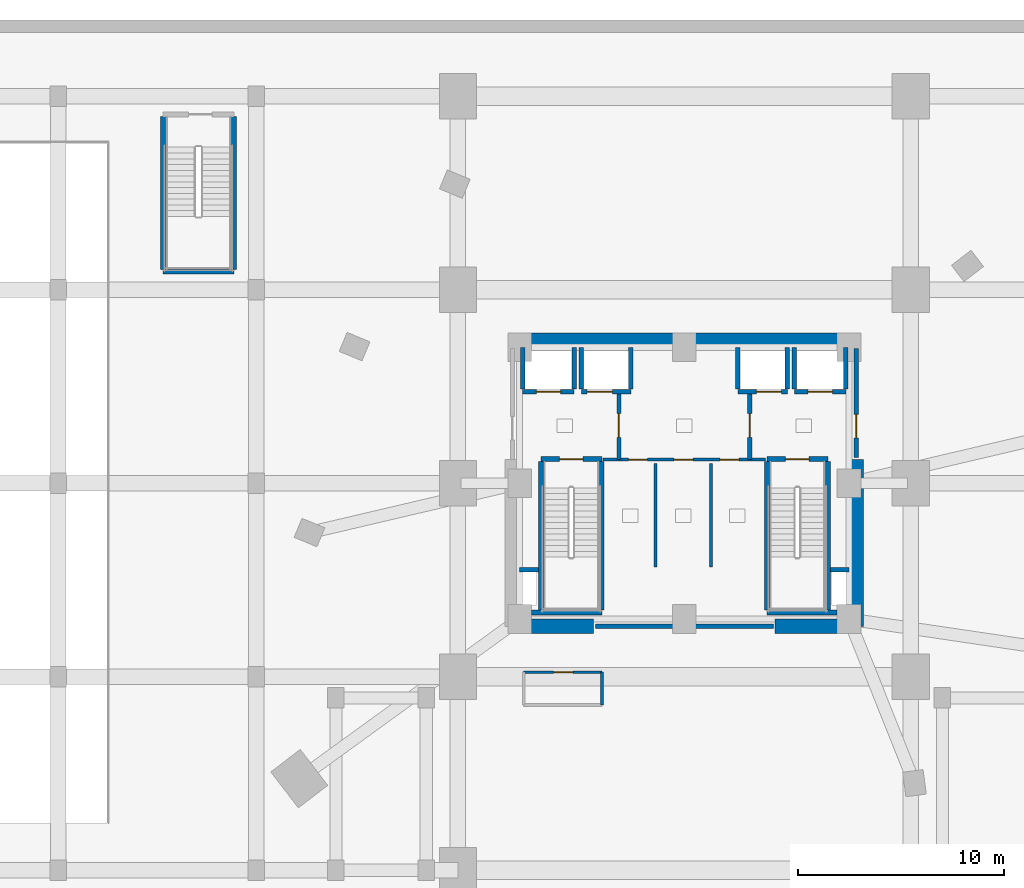
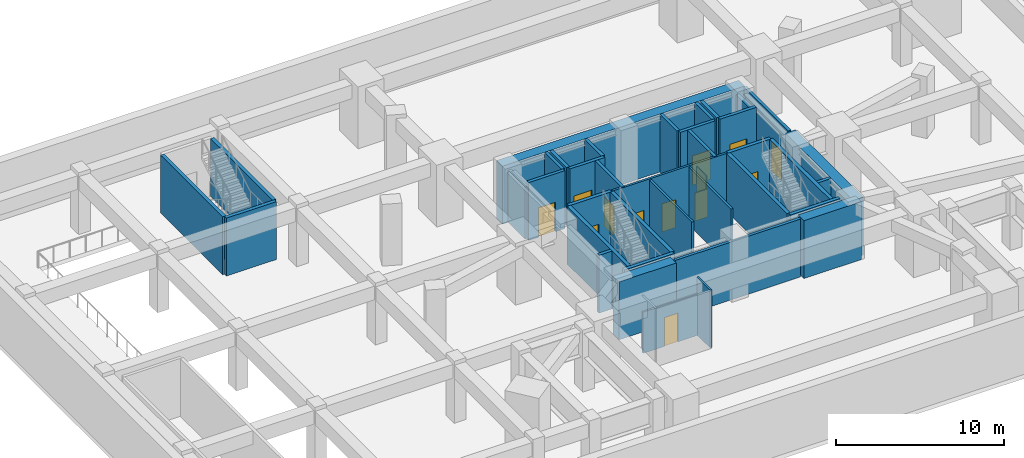
# One storey, part 3 of 9: 38 walls, 13 doors, 13 openings.
"""IFC4 building model written with IfcOpenShell, lengths in metres."""

from ifc_helpers import new_model, si_unit, direction, frame, frame_2d, origin, place, context, subcontext, project, spatial, rectangle, extrude, material, layer, layer_set, type_object, element, fill, save


model = new_model("IFC4")

# Units and contexts
model_context = context("Model", 3, precision=1e-05, world=origin(), true_north=direction((0.0, 1.0)))
body_context = subcontext(model_context, "Body", "Model", "MODEL_VIEW")
ifc_project = project(units=[si_unit("LENGTHUNIT", "METRE"), si_unit("AREAUNIT", "SQUARE_METRE"), si_unit("VOLUMEUNIT", "CUBIC_METRE"), si_unit("PLANEANGLEUNIT", "RADIAN"), si_unit("MASSUNIT", "GRAM", prefix="KILO")], contexts=[model_context])

# Site, building, storey
site_placement = place(None, origin())
site = spatial("IfcSite", under=ifc_project, at=site_placement, CompositionType="ELEMENT")
building_placement = place(site_placement, origin())
building = spatial("IfcBuilding", under=site, at=building_placement, Name="Ndelora Gate Hotel", CompositionType="ELEMENT")
storey_placement = place(building_placement, frame((0.0, 0.0, -4.5)))
storey = spatial("IfcBuildingStorey", under=building, at=storey_placement, Name="B01", CompositionType="ELEMENT", Elevation=-4.5)

# Walls
ifc_material_1 = material(Name="Concrete C60/75", Category="concrete")
ifc_layer_1 = layer(ifc_material_1, 0.699951171875)
ifc_layer_set_1 = layer_set([ifc_layer_1], Name="Concrete C60/75")
wall_type_1 = type_object("IfcWallType", Name="WL-CORE-700", PredefinedType="SHEAR", material=ifc_layer_set_1)
wall_1_placement = place(storey_placement, frame((-8.35009765625, 6.949951171875, 0.0), z_axis=(0.0, 0.0, 1.0), x_axis=(1.0, 0.0, 0.0)))
element("IfcWall", 1, at=wall_1_placement, inside=storey, type_object=wall_type_1, Name="B01 Core Shear Wall N", PredefinedType="SHEAR", context=body_context, shape_type="SweptSolid", body=[
    extrude(rectangle(XDim=16.7001953125, YDim=0.699951171875, at=frame_2d((8.35009765625, 0.0))), origin(), (0.0, 0.0, 1.0), 4.219970703125),
])
for number, where, z_axis, x_axis, name in (
    (2, (-8.35009765625, -6.949951171875, 0.0), (0.0, 0.0, 1.0), (1.0, 0.0, 0.0), "B01 Core Shear Wall S-W"),
    (3, (4.39990234375, -6.949951171875, 0.0), (0.0, 0.0, 1.0), (1.0, 0.0, 0.0), "B01 Core Shear Wall S-E"),
):
    element("IfcWall", number, at=place(storey_placement, frame(where, z_axis=z_axis, x_axis=x_axis)), inside=storey, type_object=wall_type_1, Name=name, PredefinedType="SHEAR", context=body_context, shape_type="SweptSolid", body=[
        extrude(rectangle(XDim=3.9501953125, YDim=0.699951171875, at=frame_2d((1.97509765625, 0.0))), origin(), (0.0, 0.0, 1.0), 4.219970703125),
    ])
wall_2_placement = place(storey_placement, frame((8.35009765625, -6.949951171875, 0.0), z_axis=(0.0, 0.0, 1.0), x_axis=(0.0, 1.0, 0.0)))
element("IfcWall", 4, at=wall_2_placement, inside=storey, type_object=wall_type_1, Name="B01 Core Shear Wall E", PredefinedType="SHEAR", context=body_context, shape_type="SweptSolid", body=[
    extrude(rectangle(XDim=8.099853515625, YDim=0.699951171875, at=frame_2d((4.0498046875, 0.0))), origin(), (0.0, 0.0, 1.0), 4.219970703125),
])

# Wall, opening, door
ifc_material_2 = material(Name="Concrete C40/50", Category="concrete")
ifc_layer_2 = layer(ifc_material_2, 0.199951171875)
ifc_layer_set_2 = layer_set([ifc_layer_2], Name="Concrete C40/50")
wall_type_2 = type_object("IfcWallType", Name="WL-FIRE-200", PredefinedType="PARTITIONING", material=ifc_layer_set_2)
wall_3_placement = place(storey_placement, frame((-3.179931640625, 1.14990234375, 0.0), z_axis=(0.0, 0.0, 1.0), x_axis=(0.0, 1.0, 0.0)))
wall_3 = element("IfcWall", 5, at=wall_3_placement, inside=storey, type_object=wall_type_2, Name="B01 Interior Wall IW-2", PredefinedType="PARTITIONING", context=body_context, shape_type="SweptSolid", body=[
    extrude(rectangle(XDim=3.300048828125, YDim=0.199951171875, at=frame_2d((1.64990234375, 0.0))), origin(), (0.0, 0.0, 1.0), 4.219970703125),
])
opening_1_placement = place(wall_3_placement, frame((1.080078125, 0.0, 0.0)))
opening_1 = element("IfcOpeningElement", 6, at=opening_1_placement, cuts=wall_3, Name="Opening FD1", PredefinedType="OPENING", context=body_context, shape_type="SweptSolid", body=[
    extrude(rectangle(XDim=1.14990234375, YDim=2.14990234375, at=frame_2d((0.574951171875, 1.074951171875))), frame((0.0, 0.10986328125, 0.0), z_axis=(0.0, -1.0, 0.0), x_axis=(1.0, 0.0, 0.0)), (0.0, 0.0, 1.0), 0.219970703125),
])
ifc_material_3 = material(Name="Fire-Rated Timber-Veneer Steel Core", Category="steel")
door_type_1 = type_object("IfcDoorType", Name="DR-FD60", OperationType="SINGLE_SWING_LEFT", PredefinedType="DOOR", material=ifc_material_3)
door_1_placement = place(opening_1_placement, origin())
door_1 = element("IfcDoor", 7, at=door_1_placement, inside=storey, type_object=door_type_1, Name="B01 Firefighting Lobby West Door", OperationType="SINGLE_SWING_RIGHT", OverallHeight=2.14990234375, OverallWidth=1.14990234375, PredefinedType="DOOR", context=body_context, shape_type="SweptSolid", body=[
    extrude(rectangle(XDim=1.14990234375, YDim=2.14990234375, at=frame_2d((0.574951171875, 1.074951171875))), frame((0.0, 0.02490234375, 0.0), z_axis=(0.0, -1.0, 0.0), x_axis=(1.0, 0.0, 0.0)), (0.0, 0.0, 1.0), 0.050048828125),
])
fill(opening_1, door_1)

wall_4_placement = place(storey_placement, frame((3.179931640625, 1.14990234375, 0.0), z_axis=(0.0, 0.0, 1.0), x_axis=(0.0, 1.0, 0.0)))
wall_4 = element("IfcWall", 8, at=wall_4_placement, inside=storey, type_object=wall_type_2, Name="B01 Interior Wall IW-2", PredefinedType="PARTITIONING", context=body_context, shape_type="SweptSolid", body=[
    extrude(rectangle(XDim=3.300048828125, YDim=0.199951171875, at=frame_2d((1.64990234375, 0.0))), origin(), (0.0, 0.0, 1.0), 4.219970703125),
])
opening_2_placement = place(wall_4_placement, frame((1.080078125, 0.0, 0.0)))
opening_2 = element("IfcOpeningElement", 9, at=opening_2_placement, cuts=wall_4, Name="Opening FD1", PredefinedType="OPENING", context=body_context, shape_type="SweptSolid", body=[
    extrude(rectangle(XDim=1.14990234375, YDim=2.14990234375, at=frame_2d((0.574951171875, 1.074951171875))), frame((0.0, 0.10986328125, 0.0), z_axis=(0.0, -1.0, 0.0), x_axis=(1.0, 0.0, 0.0)), (0.0, 0.0, 1.0), 0.219970703125),
])
door_2_placement = place(opening_2_placement, origin())
door_2 = element("IfcDoor", 10, at=door_2_placement, inside=storey, type_object=door_type_1, Name="B01 Firefighting Lobby East Door", OperationType="SINGLE_SWING_LEFT", OverallHeight=2.14990234375, OverallWidth=1.14990234375, PredefinedType="DOOR", context=body_context, shape_type="SweptSolid", body=[
    extrude(rectangle(XDim=1.14990234375, YDim=2.14990234375, at=frame_2d((0.574951171875, 1.074951171875))), frame((0.0, 0.02490234375, 0.0), z_axis=(0.0, -1.0, 0.0), x_axis=(1.0, 0.0, 0.0)), (0.0, 0.0, 1.0), 0.050048828125),
])
fill(opening_2, door_2)

wall_5_placement = place(storey_placement, frame((8.35009765625, 1.25, 0.0), z_axis=(0.0, 0.0, 1.0), x_axis=(0.0, 1.0, 0.0)))
wall_5 = element("IfcWall", 11, at=wall_5_placement, inside=storey, type_object=wall_type_2, Name="B01 Interior Wall IW-2", PredefinedType="PARTITIONING", context=body_context, shape_type="SweptSolid", body=[
    extrude(rectangle(XDim=5.300048828125, YDim=0.199951171875, at=frame_2d((2.64990234375, 0.0))), origin(), (0.0, 0.0, 1.0), 4.219970703125),
])
opening_3_placement = place(wall_5_placement, frame((0.949951171875, 0.0, 0.0)))
opening_3 = element("IfcOpeningElement", 12, at=opening_3_placement, cuts=wall_5, Name="Opening FD1", PredefinedType="OPENING", context=body_context, shape_type="SweptSolid", body=[
    extrude(rectangle(XDim=1.14990234375, YDim=2.14990234375, at=frame_2d((0.574951171875, 1.074951171875))), frame((0.0, 0.10986328125, 0.0), z_axis=(0.0, -1.0, 0.0), x_axis=(1.0, 0.0, 0.0)), (0.0, 0.0, 1.0), 0.219970703125),
])
door_3_placement = place(opening_3_placement, origin())
door_3 = element("IfcDoor", 13, at=door_3_placement, inside=storey, type_object=door_type_1, Name="B01 Firefighting Lobby East Corridor Door", OperationType="SINGLE_SWING_RIGHT", OverallHeight=2.14990234375, OverallWidth=1.14990234375, PredefinedType="DOOR", context=body_context, shape_type="SweptSolid", body=[
    extrude(rectangle(XDim=1.14990234375, YDim=2.14990234375, at=frame_2d((0.574951171875, 1.074951171875))), frame((0.0, 0.02490234375, 0.0), z_axis=(0.0, -1.0, 0.0), x_axis=(1.0, 0.0, 0.0)), (0.0, 0.0, 1.0), 0.050048828125),
])
fill(opening_3, door_3)

# Wall
wall_6_placement = place(storey_placement, frame((-4.320068359375, -6.949951171875, 0.0), z_axis=(0.0, 0.0, 1.0), x_axis=(1.0, 0.0, 0.0)))
element("IfcWall", 14, at=wall_6_placement, inside=storey, type_object=wall_type_2, Name="B01 Interior Wall IW-2", PredefinedType="PARTITIONING", context=body_context, shape_type="SweptSolid", body=[
    extrude(rectangle(XDim=8.64013671875, YDim=0.199951171875, at=frame_2d((4.320068359375, 0.0))), origin(), (0.0, 0.0, 1.0), 4.219970703125),
])

# Wall, openings, doors
ifc_material_4 = material(Name="Fire-Rated Gypsum Stud Partition", Category="gypsum")
ifc_layer_3 = layer(ifc_material_4, 0.14990234375)
ifc_layer_set_3 = layer_set([ifc_layer_3], Name="Fire-Rated Gypsum Stud Partition")
wall_type_3 = type_object("IfcWallType", Name="WL-PART-150", PredefinedType="PARTITIONING", material=ifc_layer_set_3)
wall_7_placement = place(storey_placement, frame((3.949951171875, 1.14990234375, 0.0), z_axis=(0.0, 0.0, 1.0), x_axis=(-1.0, 0.0, 0.0)))
wall_7 = element("IfcWall", 15, at=wall_7_placement, inside=storey, type_object=wall_type_3, Name="B01 Interior Wall IW-5", PredefinedType="PARTITIONING", context=body_context, shape_type="SweptSolid", body=[
    extrude(rectangle(XDim=7.89990234375, YDim=0.14990234375, at=frame_2d((3.949951171875, 0.0))), origin(), (0.0, 0.0, 1.0), 4.219970703125),
])
opening_4_placement = place(wall_7_placement, frame((5.739990234375, 0.0, 0.0)))
opening_4 = element("IfcOpeningElement", 16, at=opening_4_placement, cuts=wall_7, Name="Opening D04", PredefinedType="OPENING", context=body_context, shape_type="SweptSolid", body=[
    extrude(rectangle(XDim=0.919921875, YDim=2.050048828125, at=frame_2d((0.4599609375, 1.02490234375))), frame((0.0, 0.0849609375, 0.0), z_axis=(0.0, -1.0, 0.0), x_axis=(1.0, 0.0, 0.0)), (0.0, 0.0, 1.0), 0.169921875),
])
opening_5_placement = place(wall_7_placement, frame((3.5400390625, 0.0, 0.0)))
opening_5 = element("IfcOpeningElement", 17, at=opening_5_placement, cuts=wall_7, Name="Opening D04", PredefinedType="OPENING", context=body_context, shape_type="SweptSolid", body=[
    extrude(rectangle(XDim=0.919921875, YDim=2.050048828125, at=frame_2d((0.4599609375, 1.02490234375))), frame((0.0, 0.0849609375, 0.0), z_axis=(0.0, -1.0, 0.0), x_axis=(1.0, 0.0, 0.0)), (0.0, 0.0, 1.0), 0.169921875),
])
opening_6_placement = place(wall_7_placement, frame((1.2900390625, 0.0, 0.0)))
opening_6 = element("IfcOpeningElement", 18, at=opening_6_placement, cuts=wall_7, Name="Opening D04", PredefinedType="OPENING", context=body_context, shape_type="SweptSolid", body=[
    extrude(rectangle(XDim=0.919921875, YDim=2.050048828125, at=frame_2d((0.4599609375, 1.02490234375))), frame((0.0, 0.0849609375, 0.0), z_axis=(0.0, -1.0, 0.0), x_axis=(1.0, 0.0, 0.0)), (0.0, 0.0, 1.0), 0.169921875),
])
ifc_material_5 = material(Name="Painted Steel Core Service Door", Category="steel")
door_type_2 = type_object("IfcDoorType", Name="DR-SER-920", OperationType="SINGLE_SWING_LEFT", PredefinedType="DOOR", material=ifc_material_5)
door_4_placement = place(opening_4_placement, origin())
door_4 = element("IfcDoor", 19, at=door_4_placement, inside=storey, type_object=door_type_2, Name="B01 Core Cleaners Store Door", OperationType="SINGLE_SWING_LEFT", OverallHeight=2.050048828125, OverallWidth=0.919921875, PredefinedType="DOOR", context=body_context, shape_type="SweptSolid", body=[
    extrude(rectangle(XDim=0.919921875, YDim=2.050048828125, at=frame_2d((0.4599609375, 1.02490234375))), frame((0.0, 0.02490234375, 0.0), z_axis=(0.0, -1.0, 0.0), x_axis=(1.0, 0.0, 0.0)), (0.0, 0.0, 1.0), 0.050048828125),
])
fill(opening_4, door_4)
door_5_placement = place(opening_5_placement, origin())
door_5 = element("IfcDoor", 20, at=door_5_placement, inside=storey, type_object=door_type_2, Name="B01 Core Telecoms Equipment Room Door", OperationType="SINGLE_SWING_RIGHT", OverallHeight=2.050048828125, OverallWidth=0.919921875, PredefinedType="DOOR", context=body_context, shape_type="SweptSolid", body=[
    extrude(rectangle(XDim=0.919921875, YDim=2.050048828125, at=frame_2d((0.4599609375, 1.02490234375))), frame((0.0, 0.02490234375, 0.0), z_axis=(0.0, -1.0, 0.0), x_axis=(1.0, 0.0, 0.0)), (0.0, 0.0, 1.0), 0.050048828125),
])
fill(opening_5, door_5)
door_6_placement = place(opening_6_placement, origin())
door_6 = element("IfcDoor", 21, at=door_6_placement, inside=storey, type_object=door_type_2, Name="B01 Core Electrical Metering Room Door", OperationType="SINGLE_SWING_LEFT", OverallHeight=2.050048828125, OverallWidth=0.919921875, PredefinedType="DOOR", context=body_context, shape_type="SweptSolid", body=[
    extrude(rectangle(XDim=0.919921875, YDim=2.050048828125, at=frame_2d((0.4599609375, 1.02490234375))), frame((0.0, 0.02490234375, 0.0), z_axis=(0.0, -1.0, 0.0), x_axis=(1.0, 0.0, 0.0)), (0.0, 0.0, 1.0), 0.050048828125),
])
fill(opening_6, door_6)

# Walls
for number, where, z_axis, x_axis, name in (
    (22, (-1.39990234375, -4.080078125, 0.0), (0.0, 0.0, 1.0), (0.0, 1.0, 0.0), "B01 Interior Wall IW-5"),
    (23, (1.300048828125, -4.080078125, 0.0), (0.0, 0.0, 1.0), (0.0, 1.0, 0.0), "B01 Interior Wall IW-5"),
):
    element("IfcWall", number, at=place(storey_placement, frame(where, z_axis=z_axis, x_axis=x_axis)), inside=storey, type_object=wall_type_3, Name=name, PredefinedType="PARTITIONING", context=body_context, shape_type="SweptSolid", body=[
        extrude(rectangle(XDim=5.030029296875, YDim=0.14990234375, at=frame_2d((2.51513671875, 0.0))), origin(), (0.0, 0.0, 1.0), 4.219970703125),
    ])
ifc_layer_4 = layer(ifc_material_2, 0.219970703125)
ifc_layer_set_4 = layer_set([ifc_layer_4], Name="Concrete C40/50")
wall_type_4 = type_object("IfcWallType", Name="WL-SHAFT-220", PredefinedType="PARTITIONING", material=ifc_layer_set_4)
for number, where, z_axis, x_axis, name in (
    (24, (-8.0, -4.199951171875, 0.0), (0.0, 0.0, 1.0), (1.0, 0.0, 0.0), "B01 Interior Wall IW-1"),
    (25, (7.090087890625, -4.199951171875, 0.0), (0.0, 0.0, 1.0), (1.0, 0.0, 0.0), "B01 Interior Wall IW-1"),
):
    element("IfcWall", number, at=place(storey_placement, frame(where, z_axis=z_axis, x_axis=x_axis)), inside=storey, type_object=wall_type_4, Name=name, PredefinedType="PARTITIONING", context=body_context, shape_type="SweptSolid", body=[
        extrude(rectangle(XDim=0.909912109375, YDim=0.219970703125, at=frame_2d((0.455078125, 0.0))), origin(), (0.0, 0.0, 1.0), 4.219970703125),
    ])

# Wall, opening, door
wall_8_placement = place(storey_placement, frame((-7.85009765625, 4.449951171875, 0.0), z_axis=(0.0, 0.0, 1.0), x_axis=(1.0, 0.0, 0.0)))
wall_8 = element("IfcWall", 26, at=wall_8_placement, inside=storey, type_object=wall_type_4, Name="B01 Interior Wall IW-1", PredefinedType="PARTITIONING", context=body_context, shape_type="SweptSolid", body=[
    extrude(rectangle(XDim=2.5, YDim=0.219970703125, at=frame_2d((1.25, 0.0))), origin(), (0.0, 0.0, 1.0), 4.219970703125),
])
opening_7_placement = place(wall_8_placement, frame((0.659912109375, 0.0, 0.0)))
opening_7 = element("IfcOpeningElement", 27, at=opening_7_placement, cuts=wall_8, Name="Opening LD5", PredefinedType="OPENING", context=body_context, shape_type="SweptSolid", body=[
    extrude(rectangle(XDim=1.179931640625, YDim=2.14990234375, at=frame_2d((0.58984375, 1.074951171875))), frame((0.0, 0.1201171875, 0.0), z_axis=(0.0, -1.0, 0.0), x_axis=(1.0, 0.0, 0.0)), (0.0, 0.0, 1.0), 0.239990234375),
])
ifc_material_6 = material(Name="Firefighting Lift Stainless Sliding Landing Door", Category="metal")
door_type_3 = type_object("IfcDoorType", Name="DR-LD5", OperationType="DOUBLE_DOOR_SLIDING", PredefinedType="DOOR", material=ifc_material_6)
door_7_placement = place(opening_7_placement, origin())
door_7 = element("IfcDoor", 28, at=door_7_placement, inside=storey, type_object=door_type_3, Name="B01 Lift Landing Sliding Door FFL1", OperationType="DOUBLE_DOOR_SLIDING", OverallHeight=2.14990234375, OverallWidth=1.179931640625, PredefinedType="DOOR", context=body_context, shape_type="SweptSolid", body=[
    extrude(rectangle(XDim=1.179931640625, YDim=2.14990234375, at=frame_2d((0.58984375, 1.074951171875))), frame((0.0, 0.02490234375, 0.0), z_axis=(0.0, -1.0, 0.0), x_axis=(1.0, 0.0, 0.0)), (0.0, 0.0, 1.0), 0.050048828125),
])
fill(opening_7, door_7)

# Walls
wall_9_placement = place(storey_placement, frame((-7.85009765625, 4.570068359375, 0.0), z_axis=(0.0, 0.0, 1.0), x_axis=(0.0, 1.0, 0.0)))
element("IfcWall", 29, at=wall_9_placement, inside=storey, type_object=wall_type_4, Name="B01 Interior Wall IW-1", PredefinedType="PARTITIONING", context=body_context, shape_type="SweptSolid", body=[
    extrude(rectangle(XDim=2.030029296875, YDim=0.219970703125, at=frame_2d((1.01513671875, 0.0))), origin(), (0.0, 0.0, 1.0), 3.800048828125),
])
wall_10_placement = place(storey_placement, frame((-5.35009765625, 4.570068359375, 0.0), z_axis=(0.0, 0.0, 1.0), x_axis=(0.0, 1.0, 0.0)))
element("IfcWall", 30, at=wall_10_placement, inside=storey, type_object=wall_type_4, Name="B01 Interior Wall IW-1", PredefinedType="PARTITIONING", context=body_context, shape_type="SweptSolid", body=[
    extrude(rectangle(XDim=2.030029296875, YDim=0.219970703125, at=frame_2d((1.01513671875, 0.0))), origin(), (0.0, 0.0, 1.0), 4.219970703125),
])

# Wall, opening, door
wall_11_placement = place(storey_placement, frame((5.35009765625, 4.449951171875, 0.0), z_axis=(0.0, 0.0, 1.0), x_axis=(1.0, 0.0, 0.0)))
wall_11 = element("IfcWall", 31, at=wall_11_placement, inside=storey, type_object=wall_type_4, Name="B01 Interior Wall IW-1", PredefinedType="PARTITIONING", context=body_context, shape_type="SweptSolid", body=[
    extrude(rectangle(XDim=2.5, YDim=0.219970703125, at=frame_2d((1.25, 0.0))), origin(), (0.0, 0.0, 1.0), 4.219970703125),
])
opening_8_placement = place(wall_11_placement, frame((0.659912109375, 0.0, 0.0)))
opening_8 = element("IfcOpeningElement", 32, at=opening_8_placement, cuts=wall_11, Name="Opening LD5", PredefinedType="OPENING", context=body_context, shape_type="SweptSolid", body=[
    extrude(rectangle(XDim=1.179931640625, YDim=2.14990234375, at=frame_2d((0.58984375, 1.074951171875))), frame((0.0, 0.1201171875, 0.0), z_axis=(0.0, -1.0, 0.0), x_axis=(1.0, 0.0, 0.0)), (0.0, 0.0, 1.0), 0.239990234375),
])
door_8_placement = place(opening_8_placement, origin())
door_8 = element("IfcDoor", 33, at=door_8_placement, inside=storey, type_object=door_type_3, Name="B01 Lift Landing Sliding Door FFL2", OperationType="DOUBLE_DOOR_SLIDING", OverallHeight=2.14990234375, OverallWidth=1.179931640625, PredefinedType="DOOR", context=body_context, shape_type="SweptSolid", body=[
    extrude(rectangle(XDim=1.179931640625, YDim=2.14990234375, at=frame_2d((0.58984375, 1.074951171875))), frame((0.0, 0.02490234375, 0.0), z_axis=(0.0, -1.0, 0.0), x_axis=(1.0, 0.0, 0.0)), (0.0, 0.0, 1.0), 0.050048828125),
])
fill(opening_8, door_8)

# Walls
wall_12_placement = place(storey_placement, frame((5.35009765625, 4.570068359375, 0.0), z_axis=(0.0, 0.0, 1.0), x_axis=(0.0, 1.0, 0.0)))
element("IfcWall", 34, at=wall_12_placement, inside=storey, type_object=wall_type_4, Name="B01 Interior Wall IW-1", PredefinedType="PARTITIONING", context=body_context, shape_type="SweptSolid", body=[
    extrude(rectangle(XDim=2.030029296875, YDim=0.219970703125, at=frame_2d((1.01513671875, 0.0))), origin(), (0.0, 0.0, 1.0), 4.219970703125),
])
wall_13_placement = place(storey_placement, frame((7.85009765625, 4.570068359375, 0.0), z_axis=(0.0, 0.0, 1.0), x_axis=(0.0, 1.0, 0.0)))
element("IfcWall", 35, at=wall_13_placement, inside=storey, type_object=wall_type_4, Name="B01 Interior Wall IW-1", PredefinedType="PARTITIONING", context=body_context, shape_type="SweptSolid", body=[
    extrude(rectangle(XDim=2.030029296875, YDim=0.219970703125, at=frame_2d((1.01513671875, 0.0))), origin(), (0.0, 0.0, 1.0), 3.800048828125),
])

# Wall, opening, door
wall_14_placement = place(storey_placement, frame((-5.0, 4.449951171875, 0.0), z_axis=(0.0, 0.0, 1.0), x_axis=(1.0, 0.0, 0.0)))
wall_14 = element("IfcWall", 36, at=wall_14_placement, inside=storey, type_object=wall_type_4, Name="B01 Interior Wall IW-1", PredefinedType="PARTITIONING", context=body_context, shape_type="SweptSolid", body=[
    extrude(rectangle(XDim=2.39990234375, YDim=0.219970703125, at=frame_2d((1.199951171875, 0.0))), origin(), (0.0, 0.0, 1.0), 4.219970703125),
])
opening_9_placement = place(wall_14_placement, frame((0.280029296875, 0.0, 0.0)))
opening_9 = element("IfcOpeningElement", 37, at=opening_9_placement, cuts=wall_14, Name="Opening LD6", PredefinedType="OPENING", context=body_context, shape_type="SweptSolid", body=[
    extrude(rectangle(XDim=1.219970703125, YDim=2.14990234375, at=frame_2d((0.60986328125, 1.074951171875))), frame((0.0, 0.1201171875, 0.0), z_axis=(0.0, -1.0, 0.0), x_axis=(1.0, 0.0, 0.0)), (0.0, 0.0, 1.0), 0.239990234375),
])
ifc_material_7 = material(Name="Heavy-Duty Service Lift Sliding Landing Door", Category="wood")
door_type_4 = type_object("IfcDoorType", Name="DR-LD6", OperationType="DOUBLE_DOOR_SLIDING", PredefinedType="DOOR", material=ifc_material_7)
door_9_placement = place(opening_9_placement, origin())
door_9 = element("IfcDoor", 38, at=door_9_placement, inside=storey, type_object=door_type_4, Name="B01 Lift Landing Sliding Door SVL1", OperationType="DOUBLE_DOOR_SLIDING", OverallHeight=2.14990234375, OverallWidth=1.219970703125, PredefinedType="DOOR", context=body_context, shape_type="SweptSolid", body=[
    extrude(rectangle(XDim=1.219970703125, YDim=2.14990234375, at=frame_2d((0.60986328125, 1.074951171875))), frame((0.0, 0.02490234375, 0.0), z_axis=(0.0, -1.0, 0.0), x_axis=(1.0, 0.0, 0.0)), (0.0, 0.0, 1.0), 0.050048828125),
])
fill(opening_9, door_9)

# Walls
for number, where, z_axis, x_axis, name in (
    (39, (-5.0, 4.570068359375, 0.0), (0.0, 0.0, 1.0), (0.0, 1.0, 0.0), "B01 Interior Wall IW-1"),
    (40, (-2.60009765625, 4.570068359375, 0.0), (0.0, 0.0, 1.0), (0.0, 1.0, 0.0), "B01 Interior Wall IW-1"),
):
    element("IfcWall", number, at=place(storey_placement, frame(where, z_axis=z_axis, x_axis=x_axis)), inside=storey, type_object=wall_type_4, Name=name, PredefinedType="PARTITIONING", context=body_context, shape_type="SweptSolid", body=[
        extrude(rectangle(XDim=2.030029296875, YDim=0.219970703125, at=frame_2d((1.01513671875, 0.0))), origin(), (0.0, 0.0, 1.0), 4.219970703125),
    ])

# Wall, opening, door
wall_15_placement = place(storey_placement, frame((2.60009765625, 4.449951171875, 0.0), z_axis=(0.0, 0.0, 1.0), x_axis=(1.0, 0.0, 0.0)))
wall_15 = element("IfcWall", 41, at=wall_15_placement, inside=storey, type_object=wall_type_4, Name="B01 Interior Wall IW-1", PredefinedType="PARTITIONING", context=body_context, shape_type="SweptSolid", body=[
    extrude(rectangle(XDim=2.39990234375, YDim=0.219970703125, at=frame_2d((1.199951171875, 0.0))), origin(), (0.0, 0.0, 1.0), 4.219970703125),
])
opening_10_placement = place(wall_15_placement, frame((0.89990234375, 0.0, 0.0)))
opening_10 = element("IfcOpeningElement", 42, at=opening_10_placement, cuts=wall_15, Name="Opening LD6", PredefinedType="OPENING", context=body_context, shape_type="SweptSolid", body=[
    extrude(rectangle(XDim=1.219970703125, YDim=2.14990234375, at=frame_2d((0.60986328125, 1.074951171875))), frame((0.0, 0.1201171875, 0.0), z_axis=(0.0, -1.0, 0.0), x_axis=(1.0, 0.0, 0.0)), (0.0, 0.0, 1.0), 0.239990234375),
])
door_10_placement = place(opening_10_placement, origin())
door_10 = element("IfcDoor", 43, at=door_10_placement, inside=storey, type_object=door_type_4, Name="B01 Lift Landing Sliding Door SVL2", OperationType="DOUBLE_DOOR_SLIDING", OverallHeight=2.14990234375, OverallWidth=1.219970703125, PredefinedType="DOOR", context=body_context, shape_type="SweptSolid", body=[
    extrude(rectangle(XDim=1.219970703125, YDim=2.14990234375, at=frame_2d((0.60986328125, 1.074951171875))), frame((0.0, 0.02490234375, 0.0), z_axis=(0.0, -1.0, 0.0), x_axis=(1.0, 0.0, 0.0)), (0.0, 0.0, 1.0), 0.050048828125),
])
fill(opening_10, door_10)

# Walls
for number, where, z_axis, x_axis, name in (
    (44, (2.60009765625, 4.570068359375, 0.0), (0.0, 0.0, 1.0), (0.0, 1.0, 0.0), "B01 Interior Wall IW-1"),
    (45, (5.0, 4.570068359375, 0.0), (0.0, 0.0, 1.0), (0.0, 1.0, 0.0), "B01 Interior Wall IW-1"),
):
    element("IfcWall", number, at=place(storey_placement, frame(where, z_axis=z_axis, x_axis=x_axis)), inside=storey, type_object=wall_type_4, Name=name, PredefinedType="PARTITIONING", context=body_context, shape_type="SweptSolid", body=[
        extrude(rectangle(XDim=2.030029296875, YDim=0.219970703125, at=frame_2d((1.01513671875, 0.0))), origin(), (0.0, 0.0, 1.0), 4.219970703125),
    ])
ifc_material_8 = material(Name="Concrete C50/60", Category="concrete")
ifc_layer_5 = layer(ifc_material_8, 0.239990234375)
ifc_layer_set_5 = layer_set([ifc_layer_5], Name="Concrete C50/60")
wall_type_5 = type_object("IfcWallType", Name="WL-STAIR-240", PredefinedType="SHEAR", material=ifc_layer_set_5)
wall_16_placement = place(storey_placement, frame((-6.969970703125, -6.159912109375, 0.0), z_axis=(0.0, 0.0, 1.0), x_axis=(0.0, 1.0, 0.0)))
element("IfcWall", 46, at=wall_16_placement, inside=storey, type_object=wall_type_5, Name="B01 Stair Core Shear Wall SW-ST", PredefinedType="SHEAR", context=body_context, shape_type="SweptSolid", body=[
    extrude(rectangle(XDim=7.219970703125, YDim=0.239990234375, at=frame_2d((3.60986328125, 0.0))), origin(), (0.0, 0.0, 1.0), 4.219970703125),
])
wall_17_placement = place(storey_placement, frame((-7.425048828125, -6.27001953125, 0.0), z_axis=(0.0, 0.0, 1.0), x_axis=(1.0, 0.0, 0.0)))
element("IfcWall", 47, at=wall_17_placement, inside=storey, type_object=wall_type_5, Name="B01 Stair Core Shear Wall SW-ST", PredefinedType="SHEAR", context=body_context, shape_type="SweptSolid", body=[
    extrude(rectangle(XDim=3.4150390625, YDim=0.239990234375, at=frame_2d((1.70751953125, 0.0))), origin(), (0.0, 0.0, 1.0), 4.219970703125),
])
wall_18_placement = place(storey_placement, frame((-4.010009765625, -6.159912109375, 0.0), z_axis=(0.0, 0.0, 1.0), x_axis=(0.0, 1.0, 0.0)))
element("IfcWall", 48, at=wall_18_placement, inside=storey, type_object=wall_type_5, Name="B01 Stair Core Shear Wall SW-ST", PredefinedType="SHEAR", context=body_context, shape_type="SweptSolid", body=[
    extrude(rectangle(XDim=7.219970703125, YDim=0.239990234375, at=frame_2d((3.60986328125, 0.0))), origin(), (0.0, 0.0, 1.0), 4.219970703125),
])

# Wall, opening, door
wall_19_placement = place(storey_placement, frame((-6.969970703125, 1.169921875, 0.0), z_axis=(0.0, 0.0, 1.0), x_axis=(1.0, 0.0, 0.0)))
wall_19 = element("IfcWall", 49, at=wall_19_placement, inside=storey, type_object=wall_type_5, Name="B01 Stair Core Shear Wall SW-ST", PredefinedType="SHEAR", context=body_context, shape_type="SweptSolid", body=[
    extrude(rectangle(XDim=2.9599609375, YDim=0.239990234375, at=frame_2d((1.47998046875, 0.0))), origin(), (0.0, 0.0, 1.0), 4.219970703125),
])
opening_11_placement = place(wall_19_placement, frame((0.89990234375, 0.0, 0.0)))
opening_11 = element("IfcOpeningElement", 50, at=opening_11_placement, cuts=wall_19, Name="Opening FD1", PredefinedType="OPENING", context=body_context, shape_type="SweptSolid", body=[
    extrude(rectangle(XDim=1.14990234375, YDim=2.14990234375, at=frame_2d((0.574951171875, 1.074951171875))), frame((0.0, 0.1298828125, 0.0), z_axis=(0.0, -1.0, 0.0), x_axis=(1.0, 0.0, 0.0)), (0.0, 0.0, 1.0), 0.260009765625),
])
door_11_placement = place(opening_11_placement, origin())
door_11 = element("IfcDoor", 51, at=door_11_placement, inside=storey, type_object=door_type_1, Name="B01 Exit Stair ST4 Door", OperationType="SINGLE_SWING_LEFT", OverallHeight=2.14990234375, OverallWidth=1.14990234375, PredefinedType="DOOR", context=body_context, shape_type="SweptSolid", body=[
    extrude(rectangle(XDim=1.14990234375, YDim=2.14990234375, at=frame_2d((0.574951171875, 1.074951171875))), frame((0.0, 0.02490234375, 0.0), z_axis=(0.0, -1.0, 0.0), x_axis=(1.0, 0.0, 0.0)), (0.0, 0.0, 1.0), 0.050048828125),
])
fill(opening_11, door_11)

# Walls
for number, where, z_axis, x_axis, name in (
    (52, (4.010009765625, -6.159912109375, 0.0), (0.0, 0.0, 1.0), (0.0, 1.0, 0.0), "B01 Stair Core Shear Wall SW-ST"),
    (53, (6.969970703125, -6.159912109375, 0.0), (0.0, 0.0, 1.0), (0.0, 1.0, 0.0), "B01 Stair Core Shear Wall SW-ST"),
):
    element("IfcWall", number, at=place(storey_placement, frame(where, z_axis=z_axis, x_axis=x_axis)), inside=storey, type_object=wall_type_5, Name=name, PredefinedType="SHEAR", context=body_context, shape_type="SweptSolid", body=[
        extrude(rectangle(XDim=7.219970703125, YDim=0.239990234375, at=frame_2d((3.60986328125, 0.0))), origin(), (0.0, 0.0, 1.0), 4.219970703125),
    ])
wall_20_placement = place(storey_placement, frame((4.010009765625, -6.27001953125, 0.0), z_axis=(0.0, 0.0, 1.0), x_axis=(1.0, 0.0, 0.0)))
element("IfcWall", 54, at=wall_20_placement, inside=storey, type_object=wall_type_5, Name="B01 Stair Core Shear Wall SW-ST", PredefinedType="SHEAR", context=body_context, shape_type="SweptSolid", body=[
    extrude(rectangle(XDim=3.4150390625, YDim=0.239990234375, at=frame_2d((1.70751953125, 0.0))), origin(), (0.0, 0.0, 1.0), 4.219970703125),
])

# Wall, opening, door
wall_21_placement = place(storey_placement, frame((4.010009765625, 1.169921875, 0.0), z_axis=(0.0, 0.0, 1.0), x_axis=(1.0, 0.0, 0.0)))
wall_21 = element("IfcWall", 55, at=wall_21_placement, inside=storey, type_object=wall_type_5, Name="B01 Stair Core Shear Wall SW-ST", PredefinedType="SHEAR", context=body_context, shape_type="SweptSolid", body=[
    extrude(rectangle(XDim=2.9599609375, YDim=0.239990234375, at=frame_2d((1.47998046875, 0.0))), origin(), (0.0, 0.0, 1.0), 4.219970703125),
])
opening_12_placement = place(wall_21_placement, frame((0.89990234375, 0.0, 0.0)))
opening_12 = element("IfcOpeningElement", 56, at=opening_12_placement, cuts=wall_21, Name="Opening FD1", PredefinedType="OPENING", context=body_context, shape_type="SweptSolid", body=[
    extrude(rectangle(XDim=1.14990234375, YDim=2.14990234375, at=frame_2d((0.574951171875, 1.074951171875))), frame((0.0, 0.1298828125, 0.0), z_axis=(0.0, -1.0, 0.0), x_axis=(1.0, 0.0, 0.0)), (0.0, 0.0, 1.0), 0.260009765625),
])
door_12_placement = place(opening_12_placement, origin())
door_12 = element("IfcDoor", 57, at=door_12_placement, inside=storey, type_object=door_type_1, Name="B01 Exit Stair ST5 Door", OperationType="SINGLE_SWING_RIGHT", OverallHeight=2.14990234375, OverallWidth=1.14990234375, PredefinedType="DOOR", context=body_context, shape_type="SweptSolid", body=[
    extrude(rectangle(XDim=1.14990234375, YDim=2.14990234375, at=frame_2d((0.574951171875, 1.074951171875))), frame((0.0, 0.02490234375, 0.0), z_axis=(0.0, -1.0, 0.0), x_axis=(1.0, 0.0, 0.0)), (0.0, 0.0, 1.0), 0.050048828125),
])
fill(opening_12, door_12)

# Walls
for number, where, z_axis, x_axis, name in (
    (58, (-25.320068359375, 10.389892578125, 0.0), (0.0, 0.0, 1.0), (0.0, 1.0, 0.0), "B01 Stair Core Shear Wall SW-ST"),
    (59, (-21.8798828125, 10.389892578125, 0.0), (0.0, 0.0, 1.0), (0.0, 1.0, 0.0), "B01 Stair Core Shear Wall SW-ST"),
):
    element("IfcWall", number, at=place(storey_placement, frame(where, z_axis=z_axis, x_axis=x_axis)), inside=storey, type_object=wall_type_5, Name=name, PredefinedType="SHEAR", context=body_context, shape_type="SweptSolid", body=[
        extrude(rectangle(XDim=7.420166015625, YDim=0.239990234375, at=frame_2d((3.7099609375, 0.0))), origin(), (0.0, 0.0, 1.0), 4.219970703125),
    ])
wall_22_placement = place(storey_placement, frame((-25.320068359375, 10.280029296875, 0.0), z_axis=(0.0, 0.0, 1.0), x_axis=(1.0, 0.0, 0.0)))
element("IfcWall", 60, at=wall_22_placement, inside=storey, type_object=wall_type_5, Name="B01 Stair Core Shear Wall SW-ST", PredefinedType="SHEAR", context=body_context, shape_type="SweptSolid", body=[
    extrude(rectangle(XDim=3.440185546875, YDim=0.239990234375, at=frame_2d((1.72021484375, 0.0))), origin(), (0.0, 0.0, 1.0), 4.219970703125),
])

# Wall, opening, door
ifc_material_9 = material(Name="Moisture-Resistant Fire-Rated Tile Partition", Category="gypsum")
ifc_layer_6 = layer(ifc_material_9, 0.1298828125)
ifc_layer_set_6 = layer_set([ifc_layer_6], Name="Moisture-Resistant Fire-Rated Tile Partition")
wall_type_6 = type_object("IfcWallType", Name="WL-WET-RATED", PredefinedType="PARTITIONING", material=ifc_layer_set_6)
wall_23_placement = place(storey_placement, frame((-4.0, -9.179931640625, 0.0), z_axis=(0.0, 0.0, 1.0), x_axis=(-1.0, 0.0, 0.0)))
wall_23 = element("IfcWall", 61, at=wall_23_placement, inside=storey, type_object=wall_type_6, Name="B01 Interior Wall IW-6", PredefinedType="PARTITIONING", context=body_context, shape_type="SweptSolid", body=[
    extrude(rectangle(XDim=3.800048828125, YDim=0.1298828125, at=frame_2d((1.89990234375, 0.0))), origin(), (0.0, 0.0, 1.0), 3.0),
])
opening_13_placement = place(wall_23_placement, frame((1.39990234375, 0.0, 0.0)))
opening_13 = element("IfcOpeningElement", 62, at=opening_13_placement, cuts=wall_23, Name="Opening D05", PredefinedType="OPENING", context=body_context, shape_type="SweptSolid", body=[
    extrude(rectangle(XDim=0.949951171875, YDim=2.10009765625, at=frame_2d((0.47509765625, 1.050048828125))), frame((0.0, 0.074951171875, 0.0), z_axis=(0.0, -1.0, 0.0), x_axis=(1.0, 0.0, 0.0)), (0.0, 0.0, 1.0), 0.14990234375),
])
ifc_material_10 = material(Name="Accessible Restroom Wide-Clearance Door", Category="wood")
door_type_5 = type_object("IfcDoorType", Name="DR-ACC-950", OperationType="SINGLE_SWING_LEFT", PredefinedType="DOOR", material=ifc_material_10)
door_13_placement = place(opening_13_placement, origin())
door_13 = element("IfcDoor", 63, at=door_13_placement, inside=storey, type_object=door_type_5, Name="B01 Accessible WC Door", OperationType="SINGLE_SWING_LEFT", OverallHeight=2.10009765625, OverallWidth=0.949951171875, PredefinedType="DOOR", context=body_context, shape_type="SweptSolid", body=[
    extrude(rectangle(XDim=0.949951171875, YDim=2.10009765625, at=frame_2d((0.47509765625, 1.050048828125))), frame((0.0, 0.02490234375, 0.0), z_axis=(0.0, -1.0, 0.0), x_axis=(1.0, 0.0, 0.0)), (0.0, 0.0, 1.0), 0.050048828125),
])
fill(opening_13, door_13)

# Wall
wall_24_placement = place(storey_placement, frame((-4.0, -10.77001953125, 0.0), z_axis=(0.0, 0.0, 1.0), x_axis=(0.0, 1.0, 0.0)))
element("IfcWall", 64, at=wall_24_placement, inside=storey, type_object=wall_type_6, Name="B01 Interior Wall IW-6", PredefinedType="PARTITIONING", context=body_context, shape_type="SweptSolid", body=[
    extrude(rectangle(XDim=1.590087890625, YDim=0.1298828125, at=frame_2d((0.794921875, 0.0))), origin(), (0.0, 0.0, 1.0), 4.219970703125),
])

save(model, "model.ifc")
